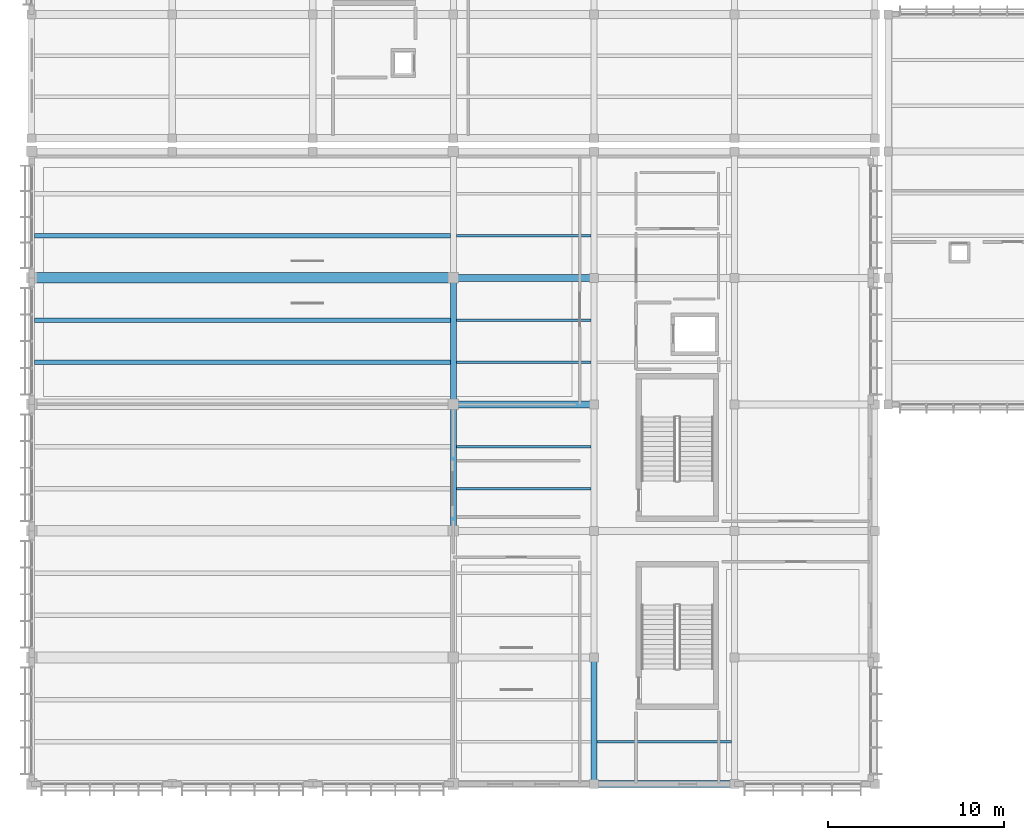
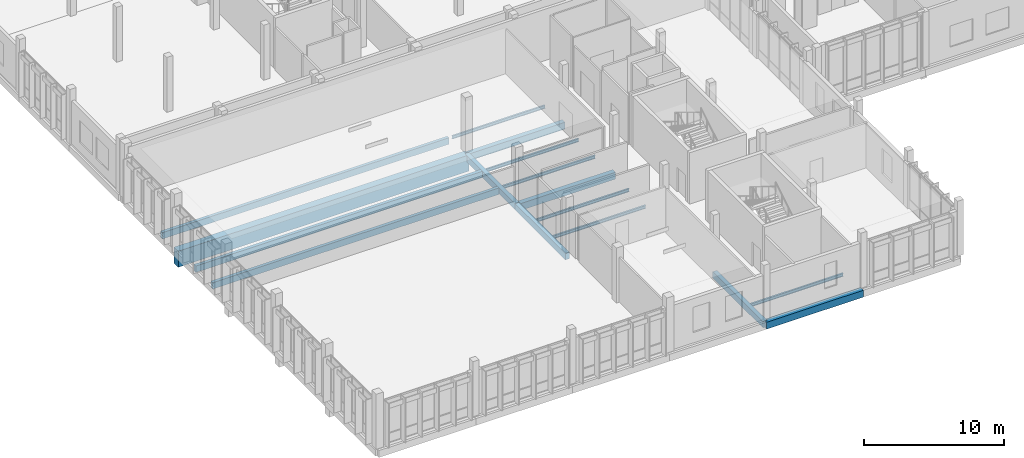
# One storey, part 21 of 177: 16 beams.
"""IFC4 building model written with IfcOpenShell, lengths in metres."""

from ifc_helpers import new_model, si_unit, direction, frame, origin, origin_2d, place, context, subcontext, project, spatial, rectangle, i_section, extrude, material, material_profile, profile_set, type_object, element, save


model = new_model("IFC4")

# Units and contexts
model_context = context("Model", 3, precision=1e-05, world=origin(), true_north=direction((0.0, 1.0)))
body_context = subcontext(model_context, "Body", "Model", "MODEL_VIEW")
ifc_project = project(units=[si_unit("LENGTHUNIT", "METRE"), si_unit("AREAUNIT", "SQUARE_METRE"), si_unit("VOLUMEUNIT", "CUBIC_METRE"), si_unit("PLANEANGLEUNIT", "RADIAN"), si_unit("MASSUNIT", "GRAM", prefix="KILO")], contexts=[model_context])

# Site, building, storey
site_placement = place(None, origin())
site = spatial("IfcSite", under=ifc_project, at=site_placement, CompositionType="ELEMENT")
building_placement = place(site_placement, origin())
building = spatial("IfcBuilding", under=site, at=building_placement, Name="Chiffa Square Polytechnic", CompositionType="ELEMENT")
storey_placement = place(building_placement, frame((0.0, 0.0, 4.800048828125)))
storey = spatial("IfcBuildingStorey", under=building, at=storey_placement, Name="L01", CompositionType="ELEMENT", Elevation=4.800048828125)

# Beams
ifc_material_1 = material(Name="Concrete C35/45", Category="concrete")
ifc_material_profile_1 = material_profile(ifc_material_1, rectangle(XDim=0.35009765625, YDim=0.550048828125, at=origin_2d()), Name="RC 350x550")
ifc_profile_set_1 = profile_set([ifc_material_profile_1], Name="Concrete C35/45")
beam_type_1 = type_object("IfcBeamType", Name="BM-RC-350X550", PredefinedType="BEAM", material=ifc_profile_set_1)
beam_1_placement = place(storey_placement, frame((24.0, 14.39990234375, -0.554931640625), z_axis=(0.0, 1.0, 0.0), x_axis=(-1.0, 0.0, 0.0)))
element("IfcBeam", 1, at=beam_1_placement, inside=storey, type_object=beam_type_1, Name="Primary floor girder BM-V3-L01-Y-0240-0144", PredefinedType="BEAM", context=body_context, shape_type="SweptSolid", body=[
    extrude(rectangle(XDim=0.35009765625, YDim=0.550048828125, at=origin_2d()), origin(), (0.0, 0.0, 1.0), 7.2001953125),
])
for number, where, z_axis, x_axis, name in (
    (2, (24.0, 21.60009765625, -0.554931640625), (0.0, 1.0, 0.0), (-1.0, 0.0, 0.0), "Primary floor girder BM-V3-L01-Y-0240-0216"),
    (3, (32.0, 0.0, -0.554931640625), (0.0, 1.0, 0.0), (-1.0, 0.0, 0.0), "Primary floor girder BM-V3-L01-Y-0320-0000"),
):
    element("IfcBeam", number, at=place(storey_placement, frame(where, z_axis=z_axis, x_axis=x_axis)), inside=storey, type_object=beam_type_1, Name=name, PredefinedType="BEAM", context=body_context, shape_type="SweptSolid", body=[
        extrude(rectangle(XDim=0.35009765625, YDim=0.550048828125, at=origin_2d()), origin(), (0.0, 0.0, 1.0), 7.199951171875),
    ])
ifc_material_profile_2 = material_profile(ifc_material_1, rectangle(XDim=0.39990234375, YDim=0.60009765625, at=origin_2d()), Name="RC 400x600")
ifc_profile_set_2 = profile_set([ifc_material_profile_2], Name="Concrete C35/45")
beam_type_2 = type_object("IfcBeamType", Name="BM-RC-400X600", PredefinedType="BEAM", material=ifc_profile_set_2)
for number, where, z_axis, x_axis, name in (
    (4, (32.0, 0.0, -0.580078125), (1.0, 0.0, 0.0), (0.0, 1.0, 0.0), "Primary floor girder BM-V3-L01-X-0320-0000"),
    (5, (24.0, 21.60009765625, -0.580078125), (1.0, 0.0, 0.0), (0.0, 1.0, 0.0), "Primary floor girder BM-V3-L01-X-0240-0216"),
    (6, (24.0, 28.800048828125, -0.580078125), (1.0, 0.0, 0.0), (0.0, 1.0, 0.0), "Primary floor girder BM-V3-L01-X-0240-0288"),
):
    element("IfcBeam", number, at=place(storey_placement, frame(where, z_axis=z_axis, x_axis=x_axis)), inside=storey, type_object=beam_type_2, Name=name, PredefinedType="BEAM", context=body_context, shape_type="SweptSolid", body=[
        extrude(rectangle(XDim=0.39990234375, YDim=0.60009765625, at=origin_2d()), origin(), (0.0, 0.0, 1.0), 8.0),
    ])
ifc_material_2 = material(Name="Concrete C40/50", Category="concrete")
ifc_material_profile_3 = material_profile(ifc_material_2, rectangle(XDim=0.60009765625, YDim=1.39990234375, at=origin_2d()), Name="RC 600x1400")
ifc_profile_set_3 = profile_set([ifc_material_profile_3], Name="Concrete C40/50")
beam_type_3 = type_object("IfcBeamType", Name="BM-RC-600X1400", PredefinedType="BEAM", material=ifc_profile_set_3)
beam_2_placement = place(storey_placement, frame((0.0, 28.800048828125, -0.97998046875), z_axis=(1.0, 0.0, 0.0), x_axis=(0.0, 1.0, 0.0)))
element("IfcBeam", 7, at=beam_2_placement, inside=storey, type_object=beam_type_3, Name="Primary floor girder BM-V3-L01-X-0000-0288", PredefinedType="BEAM", context=body_context, shape_type="SweptSolid", body=[
    extrude(rectangle(XDim=0.60009765625, YDim=1.39990234375, at=origin_2d()), origin(), (0.0, 0.0, 1.0), 24.0),
])
ifc_material_3 = material(Name="Glulam GL28h", Category="wood")
ifc_material_profile_4 = material_profile(ifc_material_3, rectangle(XDim=0.260009765625, YDim=0.56005859375, at=origin_2d()), Name="GL28h 260x560")
ifc_profile_set_4 = profile_set([ifc_material_profile_4], Name="Glulam GL28h")
beam_type_4 = type_object("IfcBeamType", Name="JST-GL-260X560", PredefinedType="JOIST", material=ifc_profile_set_4)
for number, where, z_axis, x_axis, name in (
    (8, (0.173095703125, 24.0, -0.56005859375), (1.0, 0.0, 0.0), (0.0, 1.0, 0.0), "Secondary floor joist JST-V3-L01-0000-0240"),
    (9, (0.173095703125, 26.39990234375, -0.56005859375), (1.0, 0.0, 0.0), (0.0, 1.0, 0.0), "Secondary floor joist JST-V3-L01-0000-0264"),
    (10, (0.173095703125, 31.199951171875, -0.56005859375), (1.0, 0.0, 0.0), (0.0, 1.0, 0.0), "Secondary floor joist JST-V3-L01-0000-0312"),
):
    element("IfcBeam", number, at=place(storey_placement, frame(where, z_axis=z_axis, x_axis=x_axis)), inside=storey, type_object=beam_type_4, Name=name, PredefinedType="JOIST", context=body_context, shape_type="SweptSolid", body=[
        extrude(rectangle(XDim=0.260009765625, YDim=0.56005859375, at=origin_2d()), origin(), (0.0, 0.0, 1.0), 23.65380859375),
    ])
ifc_material_4 = material(Name="Steel S355", Category="steel")
ifc_material_profile_5 = material_profile(ifc_material_4, i_section(OverallWidth=0.135009765625, OverallDepth=0.27001953125, WebThickness=0.006591796875, FlangeThickness=0.01025390625, FilletRadius=0.014892578125, at=origin_2d()), Name="IPE 270")
ifc_profile_set_5 = profile_set([ifc_material_profile_5], Name="Steel S355")
beam_type_5 = type_object("IfcBeamType", Name="JST-STL-IPE270", PredefinedType="JOIST", material=ifc_profile_set_5)
for number, where, z_axis, x_axis, name in (
    (11, (24.173095703125, 16.800048828125, -0.4150390625), (1.0, 0.0, 0.0), (0.0, 1.0, 0.0), "Secondary floor joist JST-V3-L01-0240-0168"),
    (12, (24.173095703125, 19.199951171875, -0.4150390625), (1.0, 0.0, 0.0), (0.0, 1.0, 0.0), "Secondary floor joist JST-V3-L01-0240-0192"),
    (13, (24.173095703125, 24.0, -0.4150390625), (1.0, 0.0, 0.0), (0.0, 1.0, 0.0), "Secondary floor joist JST-V3-L01-0240-0240"),
    (14, (24.173095703125, 26.39990234375, -0.4150390625), (1.0, 0.0, 0.0), (0.0, 1.0, 0.0), "Secondary floor joist JST-V3-L01-0240-0264"),
    (15, (24.173095703125, 31.199951171875, -0.4150390625), (1.0, 0.0, 0.0), (0.0, 1.0, 0.0), "Secondary floor joist JST-V3-L01-0240-0312"),
    (16, (32.173095703125, 2.39990234375, -0.4150390625), (1.0, 0.0, 0.0), (0.0, 1.0, 0.0), "Secondary floor joist JST-V3-L01-0320-0024"),
):
    element("IfcBeam", number, at=place(storey_placement, frame(where, z_axis=z_axis, x_axis=x_axis)), inside=storey, type_object=beam_type_5, Name=name, PredefinedType="JOIST", context=body_context, shape_type="SweptSolid", body=[
        extrude(i_section(OverallWidth=0.135009765625, OverallDepth=0.27001953125, WebThickness=0.006591796875, FlangeThickness=0.01025390625, FilletRadius=0.014892578125, at=origin_2d()), origin(), (0.0, 0.0, 1.0), 7.65380859375),
    ])

save(model, "model.ifc")
